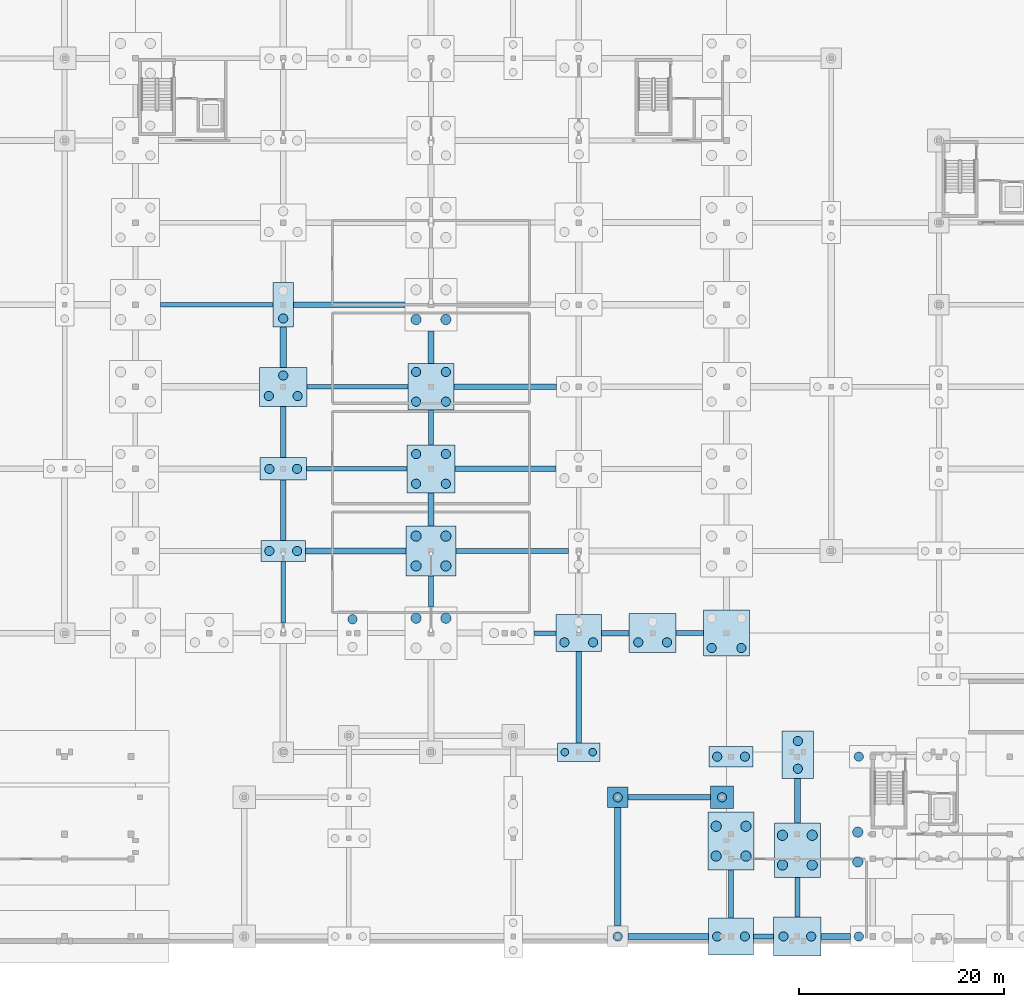
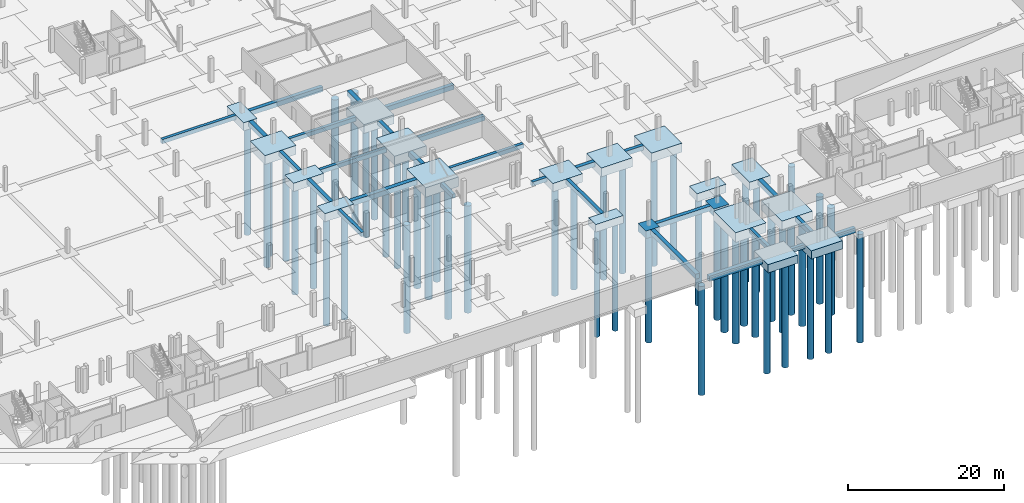
# One storey, part 3 of 38: 56 piles, 47 footings.
"""IFC4 building model written with IfcOpenShell, lengths in metres."""

from ifc_helpers import new_model, si_unit, direction, frame, origin, origin_2d, place, context, subcontext, project, spatial, rectangle, circle, extrude, material, material_profile, profile_set, type_object, element, save


model = new_model("IFC4")

# Units and contexts
model_context = context("Model", 3, precision=1e-05, world=origin(), true_north=direction((0.0, 1.0)))
body_context = subcontext(model_context, "Body", "Model", "MODEL_VIEW")
ifc_project = project(units=[si_unit("LENGTHUNIT", "METRE"), si_unit("AREAUNIT", "SQUARE_METRE"), si_unit("VOLUMEUNIT", "CUBIC_METRE"), si_unit("PLANEANGLEUNIT", "RADIAN"), si_unit("MASSUNIT", "GRAM", prefix="KILO")], contexts=[model_context])

# Site, building, storey
site_placement = place(None, origin())
site = spatial("IfcSite", under=ifc_project, at=site_placement, CompositionType="ELEMENT")
building_placement = place(site_placement, origin())
building = spatial("IfcBuilding", under=site, at=building_placement, Name="Zavelmont Quarter", CompositionType="ELEMENT")
storey_placement = place(building_placement, frame((0.0, 0.0, -3.800048828125)))
storey = spatial("IfcBuildingStorey", under=building, at=storey_placement, Name="B01", CompositionType="ELEMENT", Elevation=-3.800048828125)

# Footings
ifc_material = material(Name="Concrete C35/45", Category="concrete")
footing_type_1 = type_object("IfcFootingType", Name="GB01", PredefinedType="FOOTING_BEAM", material=ifc_material)
footing_1_placement = place(storey_placement, frame((109.22509765625, 30.0, -0.69970703125), z_axis=(0.0, 0.0, 1.0), x_axis=(1.0, 0.0, 0.0)))
element("IfcFooting", 1, at=footing_1_placement, inside=storey, type_object=footing_type_1, Name="B01 ground beam GB01 at 17/F", PredefinedType="FOOTING_BEAM", context=body_context, shape_type="SweptSolid", body=[
    extrude(rectangle(XDim=2.64990234375, YDim=0.5, at=origin_2d()), origin(), (0.0, 0.0, 1.0), 0.699951171875),
])
footing_2_placement = place(storey_placement, frame((69.60009765625, 49.60009765625, -0.69970703125), z_axis=(0.0, 0.0, 1.0), x_axis=(0.0, 1.0, 0.0)))
element("IfcFooting", 2, at=footing_2_placement, inside=storey, type_object=footing_type_1, Name="B01 ground beam GB01 at 11/H", PredefinedType="FOOTING_BEAM", context=body_context, shape_type="SweptSolid", body=[
    extrude(rectangle(XDim=5.0, YDim=0.5, at=origin_2d()), origin(), (0.0, 0.0, 1.0), 0.699951171875),
])
footing_3_placement = place(storey_placement, frame((84.0, 50.050048828125, -0.69970703125), z_axis=(0.0, 0.0, 1.0), x_axis=(0.0, 1.0, 0.0)))
element("IfcFooting", 3, at=footing_3_placement, inside=storey, type_object=footing_type_1, Name="B01 ground beam GB01 at 13/J", PredefinedType="FOOTING_BEAM", context=body_context, shape_type="SweptSolid", body=[
    extrude(rectangle(XDim=3.39990234375, YDim=0.5, at=origin_2d()), origin(), (0.0, 0.0, 1.0), 0.699951171875),
])
footing_4_placement = place(storey_placement, frame((98.39990234375, 23.75, -0.69970703125), z_axis=(0.0, 0.0, 1.0), x_axis=(0.0, 1.0, 0.0)))
element("IfcFooting", 4, at=footing_4_placement, inside=storey, type_object=footing_type_1, Name="B01 ground beam GB01 at 15/E", PredefinedType="FOOTING_BEAM", context=body_context, shape_type="SweptSolid", body=[
    extrude(rectangle(XDim=8.89990234375, YDim=0.5, at=origin_2d()), origin(), (0.0, 0.0, 1.0), 0.699951171875),
])
footing_5_placement = place(storey_placement, frame((119.699951171875, 4.27001953125, -0.69970703125), z_axis=(0.0, 0.0, 1.0), x_axis=(0.0, 1.0, 0.0)))
element("IfcFooting", 5, at=footing_5_placement, inside=storey, type_object=footing_type_1, Name="B01 ground beam GB01 at 18/B", PredefinedType="FOOTING_BEAM", context=body_context, shape_type="SweptSolid", body=[
    extrude(rectangle(XDim=3.860107421875, YDim=0.5, at=origin_2d()), origin(), (0.0, 0.0, 1.0), 0.699951171875),
])
footing_type_2 = type_object("IfcFootingType", Name="GB02", PredefinedType="FOOTING_BEAM", material=ifc_material)
footing_6_placement = place(storey_placement, frame((107.1201171875, 0.43994140625, -0.7998046875), z_axis=(0.0, 0.0, 1.0), x_axis=(1.0, 0.0, 0.0)))
element("IfcFooting", 6, at=footing_6_placement, inside=storey, type_object=footing_type_2, Name="B01 ground beam GB02 at 16/A", PredefinedType="FOOTING_BEAM", context=body_context, shape_type="SweptSolid", body=[
    extrude(rectangle(XDim=7.840087890625, YDim=0.60009765625, at=origin_2d()), origin(), (0.0, 0.0, 1.0), 0.800048828125),
])
footing_7_placement = place(storey_placement, frame((76.64990234375, 38.0, -0.7998046875), z_axis=(0.0, 0.0, 1.0), x_axis=(1.0, 0.0, 0.0)))
element("IfcFooting", 7, at=footing_7_placement, inside=storey, type_object=footing_type_2, Name="B01 ground beam GB02 at 12/G", PredefinedType="FOOTING_BEAM", context=body_context, shape_type="SweptSolid", body=[
    extrude(rectangle(XDim=9.800048828125, YDim=0.60009765625, at=origin_2d()), origin(), (0.0, 0.0, 1.0), 0.800048828125),
])
footing_8_placement = place(storey_placement, frame((69.60009765625, 57.875, -0.7998046875), z_axis=(0.0, 0.0, 1.0), x_axis=(0.0, 1.0, 0.0)))
element("IfcFooting", 8, at=footing_8_placement, inside=storey, type_object=footing_type_2, Name="B01 ground beam GB02 at 11/J", PredefinedType="FOOTING_BEAM", context=body_context, shape_type="SweptSolid", body=[
    extrude(rectangle(XDim=3.949951171875, YDim=0.60009765625, at=origin_2d()), origin(), (0.0, 0.0, 1.0), 0.800048828125),
])
footing_9_placement = place(storey_placement, frame((84.0, 57.85009765625, -0.7998046875), z_axis=(0.0, 0.0, 1.0), x_axis=(0.0, 1.0, 0.0)))
element("IfcFooting", 9, at=footing_9_placement, inside=storey, type_object=footing_type_2, Name="B01 ground beam GB02 at 13/J", PredefinedType="FOOTING_BEAM", context=body_context, shape_type="SweptSolid", body=[
    extrude(rectangle(XDim=3.199951171875, YDim=0.60009765625, at=origin_2d()), origin(), (0.0, 0.0, 1.0), 0.800048828125),
])
footing_10_placement = place(storey_placement, frame((102.199951171875, 7.219970703125, -0.7998046875), z_axis=(0.0, 0.0, 1.0), x_axis=(0.0, 1.0, 0.0)))
element("IfcFooting", 10, at=footing_10_placement, inside=storey, type_object=footing_type_2, Name="B01 ground beam GB02 at 16/B", PredefinedType="FOOTING_BEAM", context=body_context, shape_type="SweptSolid", body=[
    extrude(rectangle(XDim=11.56005859375, YDim=0.60009765625, at=origin_2d()), origin(), (0.0, 0.0, 1.0), 0.800048828125),
])
footing_11_placement = place(storey_placement, frame((119.72509765625, 13.655029296875, -0.7998046875), z_axis=(0.0, 0.0, 1.0), x_axis=(0.0, 1.0, 0.0)))
element("IfcFooting", 11, at=footing_11_placement, inside=storey, type_object=footing_type_2, Name="B01 ground beam GB02 at 18/C", PredefinedType="FOOTING_BEAM", context=body_context, shape_type="SweptSolid", body=[
    extrude(rectangle(XDim=4.31005859375, YDim=0.60009765625, at=origin_2d()), origin(), (0.0, 0.0, 1.0), 0.800048828125),
])
footing_type_3 = type_object("IfcFootingType", Name="GB03", PredefinedType="FOOTING_BEAM", material=ifc_material)
footing_12_placement = place(storey_placement, frame((116.419921875, 0.43994140625, -0.64990234375), z_axis=(0.0, 0.0, 1.0), x_axis=(1.0, 0.0, 0.0)))
element("IfcFooting", 12, at=footing_12_placement, inside=storey, type_object=footing_type_3, Name="B01 ground beam GB03 at 18/A", PredefinedType="FOOTING_BEAM", context=body_context, shape_type="SweptSolid", body=[
    extrude(rectangle(XDim=1.9599609375, YDim=0.449951171875, at=origin_2d()), origin(), (0.0, 0.0, 1.0), 0.64990234375),
])
footing_13_placement = place(storey_placement, frame((95.125, 30.0, -0.64990234375), z_axis=(0.0, 0.0, 1.0), x_axis=(1.0, 0.0, 0.0)))
element("IfcFooting", 13, at=footing_13_placement, inside=storey, type_object=footing_type_3, Name="B01 ground beam GB03 at 15/F", PredefinedType="FOOTING_BEAM", context=body_context, shape_type="SweptSolid", body=[
    extrude(rectangle(XDim=2.14990234375, YDim=0.449951171875, at=origin_2d()), origin(), (0.0, 0.0, 1.0), 0.64990234375),
])
footing_14_placement = place(storey_placement, frame((91.925048828125, 38.0, -0.64990234375), z_axis=(0.0, 0.0, 1.0), x_axis=(1.0, 0.0, 0.0)))
element("IfcFooting", 14, at=footing_14_placement, inside=storey, type_object=footing_type_3, Name="B01 ground beam GB03 at 14/G", PredefinedType="FOOTING_BEAM", context=body_context, shape_type="SweptSolid", body=[
    extrude(rectangle(XDim=10.949951171875, YDim=0.449951171875, at=origin_2d()), origin(), (0.0, 0.0, 1.0), 0.64990234375),
])
footing_15_placement = place(storey_placement, frame((76.75, 46.0, -0.64990234375), z_axis=(0.0, 0.0, 1.0), x_axis=(1.0, 0.0, 0.0)))
element("IfcFooting", 15, at=footing_15_placement, inside=storey, type_object=footing_type_3, Name="B01 ground beam GB03 at 12/H", PredefinedType="FOOTING_BEAM", context=body_context, shape_type="SweptSolid", body=[
    extrude(rectangle(XDim=9.800048828125, YDim=0.449951171875, at=origin_2d()), origin(), (0.0, 0.0, 1.0), 0.64990234375),
])
footing_16_placement = place(storey_placement, frame((76.824951171875, 54.0, -0.64990234375), z_axis=(0.0, 0.0, 1.0), x_axis=(1.0, 0.0, 0.0)))
element("IfcFooting", 16, at=footing_16_placement, inside=storey, type_object=footing_type_3, Name="B01 ground beam GB03 at 12/J", PredefinedType="FOOTING_BEAM", context=body_context, shape_type="SweptSolid", body=[
    extrude(rectangle(XDim=9.85009765625, YDim=0.449951171875, at=origin_2d()), origin(), (0.0, 0.0, 1.0), 0.64990234375),
])
footing_17_placement = place(storey_placement, frame((63.125, 62.0, -0.64990234375), z_axis=(0.0, 0.0, 1.0), x_axis=(1.0, 0.0, 0.0)))
element("IfcFooting", 17, at=footing_17_placement, inside=storey, type_object=footing_type_3, Name="B01 ground beam GB03 at 10/K", PredefinedType="FOOTING_BEAM", context=body_context, shape_type="SweptSolid", body=[
    extrude(rectangle(XDim=10.949951171875, YDim=0.449951171875, at=origin_2d()), origin(), (0.0, 0.0, 1.0), 0.64990234375),
])
footing_18_placement = place(storey_placement, frame((69.60009765625, 34.0, -0.64990234375), z_axis=(0.0, 0.0, 1.0), x_axis=(0.0, 1.0, 0.0)))
element("IfcFooting", 18, at=footing_18_placement, inside=storey, type_object=footing_type_3, Name="B01 ground beam GB03 at 11/F", PredefinedType="FOOTING_BEAM", context=body_context, shape_type="SweptSolid", body=[
    extrude(rectangle(XDim=6.0, YDim=0.449951171875, at=origin_2d()), origin(), (0.0, 0.0, 1.0), 0.64990234375),
])
footing_19_placement = place(storey_placement, frame((84.0, 34.050048828125, -0.64990234375), z_axis=(0.0, 0.0, 1.0), x_axis=(0.0, 1.0, 0.0)))
element("IfcFooting", 19, at=footing_19_placement, inside=storey, type_object=footing_type_3, Name="B01 ground beam GB03 at 13/G", PredefinedType="FOOTING_BEAM", context=body_context, shape_type="SweptSolid", body=[
    extrude(rectangle(XDim=3.0, YDim=0.449951171875, at=origin_2d()), origin(), (0.0, 0.0, 1.0), 0.64990234375),
])
footing_20_placement = place(storey_placement, frame((113.239990234375, 4.570068359375, -0.64990234375), z_axis=(0.0, 0.0, 1.0), x_axis=(0.0, 1.0, 0.0)))
element("IfcFooting", 20, at=footing_20_placement, inside=storey, type_object=footing_type_3, Name="B01 ground beam GB03 at 17/B", PredefinedType="FOOTING_BEAM", context=body_context, shape_type="SweptSolid", body=[
    extrude(rectangle(XDim=4.659912109375, YDim=0.449951171875, at=origin_2d()), origin(), (0.0, 0.0, 1.0), 0.64990234375),
])
footing_type_4 = type_object("IfcFootingType", Name="GB04", PredefinedType="FOOTING_BEAM", material=ifc_material)
footing_21_placement = place(storey_placement, frame((123.445068359375, 0.43994140625, -0.75), z_axis=(0.0, 0.0, 1.0), x_axis=(1.0, 0.0, 0.0)))
element("IfcFooting", 21, at=footing_21_placement, inside=storey, type_object=footing_type_4, Name="B01 ground beam GB04 at 19/A", PredefinedType="FOOTING_BEAM", context=body_context, shape_type="SweptSolid", body=[
    extrude(rectangle(XDim=2.889892578125, YDim=0.550048828125, at=origin_2d()), origin(), (0.0, 0.0, 1.0), 0.75),
])
footing_22_placement = place(storey_placement, frame((107.22998046875, 14.0, -0.75), z_axis=(0.0, 0.0, 1.0), x_axis=(1.0, 0.0, 0.0)))
element("IfcFooting", 22, at=footing_22_placement, inside=storey, type_object=footing_type_4, Name="B01 ground beam GB04 at 16/C", PredefinedType="FOOTING_BEAM", context=body_context, shape_type="SweptSolid", body=[
    extrude(rectangle(XDim=8.06005859375, YDim=0.550048828125, at=origin_2d()), origin(), (0.0, 0.0, 1.0), 0.75),
])
footing_23_placement = place(storey_placement, frame((101.949951171875, 30.0, -0.75), z_axis=(0.0, 0.0, 1.0), x_axis=(1.0, 0.0, 0.0)))
element("IfcFooting", 23, at=footing_23_placement, inside=storey, type_object=footing_type_4, Name="B01 ground beam GB04 at 15/F", PredefinedType="FOOTING_BEAM", context=body_context, shape_type="SweptSolid", body=[
    extrude(rectangle(XDim=2.699951171875, YDim=0.550048828125, at=origin_2d()), origin(), (0.0, 0.0, 1.0), 0.75),
])
footing_24_placement = place(storey_placement, frame((91.27490234375, 46.0, -0.75), z_axis=(0.0, 0.0, 1.0), x_axis=(1.0, 0.0, 0.0)))
element("IfcFooting", 24, at=footing_24_placement, inside=storey, type_object=footing_type_4, Name="B01 ground beam GB04 at 14/H", PredefinedType="FOOTING_BEAM", context=body_context, shape_type="SweptSolid", body=[
    extrude(rectangle(XDim=9.85009765625, YDim=0.550048828125, at=origin_2d()), origin(), (0.0, 0.0, 1.0), 0.75),
])
footing_25_placement = place(storey_placement, frame((91.25, 54.0, -0.75), z_axis=(0.0, 0.0, 1.0), x_axis=(1.0, 0.0, 0.0)))
element("IfcFooting", 25, at=footing_25_placement, inside=storey, type_object=footing_type_4, Name="B01 ground beam GB04 at 14/J", PredefinedType="FOOTING_BEAM", context=body_context, shape_type="SweptSolid", body=[
    extrude(rectangle(XDim=10.0, YDim=0.550048828125, at=origin_2d()), origin(), (0.0, 0.0, 1.0), 0.75),
])
footing_26_placement = place(storey_placement, frame((76.02490234375, 62.0, -0.75), z_axis=(0.0, 0.0, 1.0), x_axis=(1.0, 0.0, 0.0)))
element("IfcFooting", 26, at=footing_26_placement, inside=storey, type_object=footing_type_4, Name="B01 ground beam GB04 at 12/K", PredefinedType="FOOTING_BEAM", context=body_context, shape_type="SweptSolid", body=[
    extrude(rectangle(XDim=10.85009765625, YDim=0.550048828125, at=origin_2d()), origin(), (0.0, 0.0, 1.0), 0.75),
])
footing_27_placement = place(storey_placement, frame((69.60009765625, 41.949951171875, -0.75), z_axis=(0.0, 0.0, 1.0), x_axis=(0.0, 1.0, 0.0)))
element("IfcFooting", 27, at=footing_27_placement, inside=storey, type_object=footing_type_4, Name="B01 ground beam GB04 at 11/G", PredefinedType="FOOTING_BEAM", context=body_context, shape_type="SweptSolid", body=[
    extrude(rectangle(XDim=5.89990234375, YDim=0.550048828125, at=origin_2d()), origin(), (0.0, 0.0, 1.0), 0.75),
])
footing_28_placement = place(storey_placement, frame((84.0, 42.050048828125, -0.75), z_axis=(0.0, 0.0, 1.0), x_axis=(0.0, 1.0, 0.0)))
element("IfcFooting", 28, at=footing_28_placement, inside=storey, type_object=footing_type_4, Name="B01 ground beam GB04 at 13/H", PredefinedType="FOOTING_BEAM", context=body_context, shape_type="SweptSolid", body=[
    extrude(rectangle(XDim=3.199951171875, YDim=0.550048828125, at=origin_2d()), origin(), (0.0, 0.0, 1.0), 0.75),
])

# Piles
ifc_material_profile_1 = material_profile(ifc_material, circle(Radius=0.5, at=origin_2d()), Name="BP1000")
ifc_profile_set_1 = profile_set([ifc_material_profile_1], Name="Concrete C35/45")
pile_type_1 = type_object("IfcPileType", Name="P01", PredefinedType="BORED", material=ifc_profile_set_1)
for number, where, z_axis, x_axis, name in (
    (29, (118.25, 7.39990234375, -1.39990234375), (0.0, 0.0, -1.0), (1.0, 0.0, 0.0), "B01 bored pile P01 under CAP-016.1"),
    (30, (121.14990234375, 7.39990234375, -1.39990234375), (0.0, 0.0, -1.0), (1.0, 0.0, 0.0), "B01 bored pile P01 under CAP-016.2"),
    (31, (121.14990234375, 10.300048828125, -1.39990234375), (0.0, 0.0, -1.0), (1.0, 0.0, 0.0), "B01 bored pile P01 under CAP-016.3"),
    (32, (118.25, 10.300048828125, -1.39990234375), (0.0, 0.0, -1.0), (1.0, 0.0, 0.0), "B01 bored pile P01 under CAP-016.4"),
    (33, (125.590087890625, 7.699951171875, -1.39990234375), (0.0, 0.0, -1.0), (1.0, 0.0, 0.0), "B01 bored pile P01 under CAP-018.1"),
    (34, (125.590087890625, 10.60009765625, -1.39990234375), (0.0, 0.0, -1.0), (1.0, 0.0, 0.0), "B01 bored pile P01 under CAP-018.4"),
    (35, (111.7900390625, 8.27490234375, -1.39990234375), (0.0, 0.0, -1.0), (1.0, 0.0, 0.0), "B01 bored pile P01 under CAP-022.1"),
    (36, (114.68994140625, 8.27490234375, -1.39990234375), (0.0, 0.0, -1.0), (1.0, 0.0, 0.0), "B01 bored pile P01 under CAP-022.2"),
    (37, (114.68994140625, 11.175048828125, -1.39990234375), (0.0, 0.0, -1.0), (1.0, 0.0, 0.0), "B01 bored pile P01 under CAP-022.3"),
    (38, (111.7900390625, 11.175048828125, -1.39990234375), (0.0, 0.0, -1.0), (1.0, 0.0, 0.0), "B01 bored pile P01 under CAP-022.4"),
    (39, (85.449951171875, 31.449951171875, -1.39990234375), (0.0, 0.0, -1.0), (1.0, 0.0, 0.0), "B01 bored pile P01 under CAP-059.3"),
    (40, (82.550048828125, 31.449951171875, -1.39990234375), (0.0, 0.0, -1.0), (1.0, 0.0, 0.0), "B01 bored pile P01 under CAP-059.4"),
    (41, (82.550048828125, 36.550048828125, -1.39990234375), (0.0, 0.0, -1.0), (1.0, 0.0, 0.0), "B01 bored pile P01 under CAP-072.1"),
    (42, (85.449951171875, 36.550048828125, -1.39990234375), (0.0, 0.0, -1.0), (1.0, 0.0, 0.0), "B01 bored pile P01 under CAP-072.2"),
    (43, (85.449951171875, 39.449951171875, -1.39990234375), (0.0, 0.0, -1.0), (1.0, 0.0, 0.0), "B01 bored pile P01 under CAP-072.3"),
    (44, (82.550048828125, 39.449951171875, -1.39990234375), (0.0, 0.0, -1.0), (1.0, 0.0, 0.0), "B01 bored pile P01 under CAP-072.4"),
    (45, (82.550048828125, 60.550048828125, -1.39990234375), (0.0, 0.0, -1.0), (1.0, 0.0, 0.0), "B01 bored pile P01 under CAP-114.1"),
    (46, (85.449951171875, 60.550048828125, -1.39990234375), (0.0, 0.0, -1.0), (1.0, 0.0, 0.0), "B01 bored pile P01 under CAP-114.2"),
):
    element("IfcPile", number, at=place(storey_placement, frame(where, z_axis=z_axis, x_axis=x_axis)), inside=storey, type_object=pile_type_1, Name=name, PredefinedType="BORED", context=body_context, shape_type="SweptSolid", body=[
        extrude(circle(Radius=0.5, at=origin_2d()), origin(), (0.0, 0.0, 1.0), 16.800048828125),
    ])
ifc_material_profile_2 = material_profile(ifc_material, circle(Radius=0.449951171875, at=origin_2d()), Name="BP900")
ifc_profile_set_2 = profile_set([ifc_material_profile_2], Name="Concrete C35/45")
pile_type_2 = type_object("IfcPileType", Name="P02", PredefinedType="BORED", material=ifc_profile_set_2)
for number, where, z_axis, x_axis, name in (
    (47, (104.199951171875, 29.10009765625, -1.300048828125), (0.0, 0.0, -1.0), (1.0, 0.0, 0.0), "B01 bored pile P02 under CAP-062.1"),
    (48, (107.0, 29.10009765625, -1.300048828125), (0.0, 0.0, -1.0), (1.0, 0.0, 0.0), "B01 bored pile P02 under CAP-062.2"),
    (49, (111.35009765625, 28.550048828125, -1.300048828125), (0.0, 0.0, -1.0), (1.0, 0.0, 0.0), "B01 bored pile P02 under CAP-063.1"),
    (50, (114.25, 28.550048828125, -1.300048828125), (0.0, 0.0, -1.0), (1.0, 0.0, 0.0), "B01 bored pile P02 under CAP-063.2"),
    (51, (82.550048828125, 44.550048828125, -1.300048828125), (0.0, 0.0, -1.0), (1.0, 0.0, 0.0), "B01 bored pile P02 under CAP-087.1"),
    (52, (85.449951171875, 44.550048828125, -1.300048828125), (0.0, 0.0, -1.0), (1.0, 0.0, 0.0), "B01 bored pile P02 under CAP-087.2"),
    (53, (85.449951171875, 47.449951171875, -1.300048828125), (0.0, 0.0, -1.0), (1.0, 0.0, 0.0), "B01 bored pile P02 under CAP-087.3"),
    (54, (82.550048828125, 47.449951171875, -1.300048828125), (0.0, 0.0, -1.0), (1.0, 0.0, 0.0), "B01 bored pile P02 under CAP-087.4"),
    (55, (68.199951171875, 53.10009765625, -1.300048828125), (0.0, 0.0, -1.0), (1.0, 0.0, 0.0), "B01 bored pile P02 under CAP-098.1"),
    (56, (71.0, 53.10009765625, -1.300048828125), (0.0, 0.0, -1.0), (1.0, 0.0, 0.0), "B01 bored pile P02 under CAP-098.2"),
    (57, (69.60009765625, 55.10009765625, -1.300048828125), (0.0, 0.0, -1.0), (1.0, 0.0, 0.0), "B01 bored pile P02 under CAP-098.3"),
    (58, (82.550048828125, 52.550048828125, -1.300048828125), (0.0, 0.0, -1.0), (1.0, 0.0, 0.0), "B01 bored pile P02 under CAP-099.1"),
    (59, (85.449951171875, 52.550048828125, -1.300048828125), (0.0, 0.0, -1.0), (1.0, 0.0, 0.0), "B01 bored pile P02 under CAP-099.2"),
    (60, (85.449951171875, 55.449951171875, -1.300048828125), (0.0, 0.0, -1.0), (1.0, 0.0, 0.0), "B01 bored pile P02 under CAP-099.3"),
    (61, (82.550048828125, 55.449951171875, -1.300048828125), (0.0, 0.0, -1.0), (1.0, 0.0, 0.0), "B01 bored pile P02 under CAP-099.4"),
):
    element("IfcPile", number, at=place(storey_placement, frame(where, z_axis=z_axis, x_axis=x_axis)), inside=storey, type_object=pile_type_2, Name=name, PredefinedType="BORED", context=body_context, shape_type="SweptSolid", body=[
        extrude(circle(Radius=0.449951171875, at=origin_2d()), origin(), (0.0, 0.0, 1.0), 16.89990234375),
    ])
ifc_material_profile_3 = material_profile(ifc_material, circle(Radius=0.449951171875, at=origin_2d()), Name="BP900")
ifc_profile_set_3 = profile_set([ifc_material_profile_3], Name="Concrete C35/45")
pile_type_3 = type_object("IfcPileType", Name="P03", PredefinedType="BORED", material=ifc_profile_set_3)
for number, where, z_axis, x_axis, name in (
    (62, (111.889892578125, 0.43994140625, -1.199951171875), (0.0, 0.0, -1.0), (1.0, 0.0, 0.0), "B01 bored pile P03 under CAP-008.1"),
    (63, (114.590087890625, 0.43994140625, -1.199951171875), (0.0, 0.0, -1.0), (1.0, 0.0, 0.0), "B01 bored pile P03 under CAP-008.2"),
    (64, (118.35009765625, 0.43994140625, -1.199951171875), (0.0, 0.0, -1.0), (1.0, 0.0, 0.0), "B01 bored pile P03 under CAP-009.1"),
    (65, (121.050048828125, 0.43994140625, -1.199951171875), (0.0, 0.0, -1.0), (1.0, 0.0, 0.0), "B01 bored pile P03 under CAP-009.2"),
    (66, (125.68994140625, 0.43994140625, -1.199951171875), (0.0, 0.0, -1.0), (1.0, 0.0, 0.0), "B01 bored pile P03 under CAP-010.1"),
    (67, (111.889892578125, 17.9599609375, -1.199951171875), (0.0, 0.0, -1.0), (1.0, 0.0, 0.0), "B01 bored pile P03 under CAP-032.1"),
    (68, (114.590087890625, 17.9599609375, -1.199951171875), (0.0, 0.0, -1.0), (1.0, 0.0, 0.0), "B01 bored pile P03 under CAP-032.2"),
    (69, (125.68994140625, 17.9599609375, -1.199951171875), (0.0, 0.0, -1.0), (1.0, 0.0, 0.0), "B01 bored pile P03 under CAP-033.1"),
    (70, (119.75, 16.780029296875, -1.199951171875), (0.0, 0.0, -1.0), (1.0, 0.0, 0.0), "B01 bored pile P03 under CAP-036.1"),
    (71, (119.75, 19.47998046875, -1.199951171875), (0.0, 0.0, -1.0), (1.0, 0.0, 0.0), "B01 bored pile P03 under CAP-036.2"),
    (72, (76.35009765625, 31.35009765625, -1.199951171875), (0.0, 0.0, -1.0), (1.0, 0.0, 0.0), "B01 bored pile P03 under CAP-058.2"),
    (73, (97.0, 29.10009765625, -1.199951171875), (0.0, 0.0, -1.0), (1.0, 0.0, 0.0), "B01 bored pile P03 under CAP-061.1"),
    (74, (99.800048828125, 29.10009765625, -1.199951171875), (0.0, 0.0, -1.0), (1.0, 0.0, 0.0), "B01 bored pile P03 under CAP-061.2"),
    (75, (68.25, 38.0, -1.199951171875), (0.0, 0.0, -1.0), (1.0, 0.0, 0.0), "B01 bored pile P03 under CAP-071.1"),
    (76, (70.949951171875, 38.0, -1.199951171875), (0.0, 0.0, -1.0), (1.0, 0.0, 0.0), "B01 bored pile P03 under CAP-071.2"),
    (77, (68.25, 46.0, -1.199951171875), (0.0, 0.0, -1.0), (1.0, 0.0, 0.0), "B01 bored pile P03 under CAP-086.1"),
    (78, (70.949951171875, 46.0, -1.199951171875), (0.0, 0.0, -1.0), (1.0, 0.0, 0.0), "B01 bored pile P03 under CAP-086.2"),
    (79, (69.60009765625, 60.64990234375, -1.199951171875), (0.0, 0.0, -1.0), (1.0, 0.0, 0.0), "B01 bored pile P03 under CAP-113.1"),
):
    element("IfcPile", number, at=place(storey_placement, frame(where, z_axis=z_axis, x_axis=x_axis)), inside=storey, type_object=pile_type_3, Name=name, PredefinedType="BORED", context=body_context, shape_type="SweptSolid", body=[
        extrude(circle(Radius=0.449951171875, at=origin_2d()), origin(), (0.0, 0.0, 1.0), 17.0),
    ])
ifc_material_profile_4 = material_profile(ifc_material, circle(Radius=0.449951171875, at=origin_2d()), Name="BP900")
ifc_profile_set_4 = profile_set([ifc_material_profile_4], Name="Concrete C35/45")
pile_type_4 = type_object("IfcPileType", Name="P04", PredefinedType="BORED", material=ifc_profile_set_4)
for number, where, z_axis, x_axis, name in (
    (80, (102.199951171875, 0.43994140625, -1.099853515625), (0.0, 0.0, -1.0), (1.0, 0.0, 0.0), "B01 bored pile P04 under CAP-007.1"),
    (81, (102.199951171875, 14.0, -1.099853515625), (0.0, 0.0, -1.0), (1.0, 0.0, 0.0), "B01 bored pile P04 under CAP-029.1"),
    (82, (112.360107421875, 14.0, -1.099853515625), (0.0, 0.0, -1.0), (1.0, 0.0, 0.0), "B01 bored pile P04 under CAP-030.1"),
):
    element("IfcPile", number, at=place(storey_placement, frame(where, z_axis=z_axis, x_axis=x_axis)), inside=storey, type_object=pile_type_4, Name=name, PredefinedType="BORED", context=body_context, shape_type="SweptSolid", body=[
        extrude(circle(Radius=0.449951171875, at=origin_2d()), origin(), (0.0, 0.0, 1.0), 17.10009765625),
    ])
ifc_material_profile_5 = material_profile(ifc_material, circle(Radius=0.375, at=origin_2d()), Name="BP750")
ifc_profile_set_5 = profile_set([ifc_material_profile_5], Name="Concrete C35/45")
pile_type_5 = type_object("IfcPileType", Name="P05", PredefinedType="BORED", material=ifc_profile_set_5)
for number, where, z_axis, x_axis, name in (
    (83, (97.050048828125, 18.39990234375, -1.099853515625), (0.0, 0.0, -1.0), (1.0, 0.0, 0.0), "B01 bored pile P05 under CAP-040.1"),
    (84, (99.75, 18.39990234375, -1.099853515625), (0.0, 0.0, -1.0), (1.0, 0.0, 0.0), "B01 bored pile P05 under CAP-040.2"),
):
    element("IfcPile", number, at=place(storey_placement, frame(where, z_axis=z_axis, x_axis=x_axis)), inside=storey, type_object=pile_type_5, Name=name, PredefinedType="BORED", context=body_context, shape_type="SweptSolid", body=[
        extrude(circle(Radius=0.375, at=origin_2d()), origin(), (0.0, 0.0, 1.0), 17.10009765625),
    ])

# Footings
footing_type_5 = type_object("IfcFootingType", Name="PC03", PredefinedType="PILE_CAP", material=ifc_material)
footing_29_placement = place(storey_placement, frame((102.199951171875, 14.0, -1.19970703125), z_axis=(0.0, 0.0, 1.0), x_axis=(1.0, 0.0, 0.0)))
element("IfcFooting", 85, at=footing_29_placement, inside=storey, type_object=footing_type_5, Name="B01 pile cap PC03 at 16/C", PredefinedType="PILE_CAP", context=body_context, shape_type="SweptSolid", body=[
    extrude(rectangle(XDim=2.0, YDim=2.0, at=origin_2d()), origin(), (0.0, 0.0, 1.0), 1.199951171875),
])
footing_type_6 = type_object("IfcFootingType", Name="PC04", PredefinedType="PILE_CAP", material=ifc_material)
footing_30_placement = place(storey_placement, frame((112.360107421875, 14.0, -1.19970703125), z_axis=(0.0, 0.0, 1.0), x_axis=(1.0, 0.0, 0.0)))
element("IfcFooting", 86, at=footing_30_placement, inside=storey, type_object=footing_type_6, Name="B01 pile cap PC04 at 17/C", PredefinedType="PILE_CAP", context=body_context, shape_type="SweptSolid", body=[
    extrude(rectangle(XDim=2.199951171875, YDim=2.199951171875, at=origin_2d()), origin(), (0.0, 0.0, 1.0), 1.199951171875),
])
footing_type_7 = type_object("IfcFootingType", Name="PC05", PredefinedType="PILE_CAP", material=ifc_material)
footing_31_placement = place(storey_placement, frame((98.39990234375, 18.39990234375, -1.19970703125), z_axis=(0.0, 0.0, 1.0), x_axis=(1.0, 0.0, 0.0)))
element("IfcFooting", 87, at=footing_31_placement, inside=storey, type_object=footing_type_7, Name="B01 pile cap PC05 at 15/D", PredefinedType="PILE_CAP", context=body_context, shape_type="SweptSolid", body=[
    extrude(rectangle(XDim=4.10009765625, YDim=1.800048828125, at=origin_2d()), origin(), (0.0, 0.0, 1.0), 1.199951171875),
])
footing_type_8 = type_object("IfcFootingType", Name="PC07", PredefinedType="PILE_CAP", material=ifc_material)
for number, where, z_axis, x_axis, name in (
    (88, (113.239990234375, 17.9599609375, -1.2998046875), (0.0, 0.0, 1.0), (1.0, 0.0, 0.0), "B01 pile cap PC07 at 17/D"),
    (89, (69.60009765625, 38.0, -1.2998046875), (0.0, 0.0, 1.0), (1.0, 0.0, 0.0), "B01 pile cap PC07 at 11/G"),
):
    element("IfcFooting", number, at=place(storey_placement, frame(where, z_axis=z_axis, x_axis=x_axis)), inside=storey, type_object=footing_type_8, Name=name, PredefinedType="PILE_CAP", context=body_context, shape_type="SweptSolid", body=[
        extrude(rectangle(XDim=4.300048828125, YDim=2.0, at=origin_2d()), origin(), (0.0, 0.0, 1.0), 1.300048828125),
    ])
footing_type_9 = type_object("IfcFootingType", Name="PC08", PredefinedType="PILE_CAP", material=ifc_material)
footing_32_placement = place(storey_placement, frame((69.60009765625, 62.0, -1.2998046875), z_axis=(0.0, 0.0, 1.0), x_axis=(1.0, 0.0, 0.0)))
element("IfcFooting", 90, at=footing_32_placement, inside=storey, type_object=footing_type_9, Name="B01 pile cap PC08 at 11/K", PredefinedType="PILE_CAP", context=body_context, shape_type="SweptSolid", body=[
    extrude(rectangle(XDim=2.0, YDim=4.300048828125, at=origin_2d()), origin(), (0.0, 0.0, 1.0), 1.300048828125),
])
footing_type_10 = type_object("IfcFootingType", Name="PC09", PredefinedType="PILE_CAP", material=ifc_material)
footing_33_placement = place(storey_placement, frame((69.60009765625, 46.0, -1.2998046875), z_axis=(0.0, 0.0, 1.0), x_axis=(1.0, 0.0, 0.0)))
element("IfcFooting", 91, at=footing_33_placement, inside=storey, type_object=footing_type_10, Name="B01 pile cap PC09 at 11/H", PredefinedType="PILE_CAP", context=body_context, shape_type="SweptSolid", body=[
    extrude(rectangle(XDim=4.5, YDim=2.199951171875, at=origin_2d()), origin(), (0.0, 0.0, 1.0), 1.300048828125),
])
footing_type_11 = type_object("IfcFootingType", Name="PC10", PredefinedType="PILE_CAP", material=ifc_material)
footing_34_placement = place(storey_placement, frame((98.39990234375, 30.0, -1.2998046875), z_axis=(0.0, 0.0, 1.0), x_axis=(1.0, 0.0, 0.0)))
element("IfcFooting", 92, at=footing_34_placement, inside=storey, type_object=footing_type_11, Name="B01 pile cap PC10 at 15/F", PredefinedType="PILE_CAP", context=body_context, shape_type="SweptSolid", body=[
    extrude(rectangle(XDim=4.39990234375, YDim=3.60009765625, at=origin_2d()), origin(), (0.0, 0.0, 1.0), 1.300048828125),
])
footing_type_12 = type_object("IfcFootingType", Name="PC11", PredefinedType="PILE_CAP", material=ifc_material)
for number, where, z_axis, x_axis, name in (
    (93, (105.60009765625, 30.0, -1.39990234375), (0.0, 0.0, 1.0), (1.0, 0.0, 0.0), "B01 pile cap PC11 at 16/F"),
    (94, (69.60009765625, 54.0, -1.39990234375), (0.0, 0.0, 1.0), (1.0, 0.0, 0.0), "B01 pile cap PC11 at 11/J"),
):
    element("IfcFooting", number, at=place(storey_placement, frame(where, z_axis=z_axis, x_axis=x_axis)), inside=storey, type_object=footing_type_12, Name=name, PredefinedType="PILE_CAP", context=body_context, shape_type="SweptSolid", body=[
        extrude(rectangle(XDim=4.60009765625, YDim=3.800048828125, at=origin_2d()), origin(), (0.0, 0.0, 1.0), 1.39990234375),
    ])
footing_type_13 = type_object("IfcFootingType", Name="PC12", PredefinedType="PILE_CAP", material=ifc_material)
for number, where, z_axis, x_axis, name in (
    (95, (112.800048828125, 30.0, -1.39990234375), (0.0, 0.0, 1.0), (1.0, 0.0, 0.0), "B01 pile cap PC12 at 17/F"),
    (96, (84.0, 54.0, -1.39990234375), (0.0, 0.0, 1.0), (1.0, 0.0, 0.0), "B01 pile cap PC12 at 13/J"),
):
    element("IfcFooting", number, at=place(storey_placement, frame(where, z_axis=z_axis, x_axis=x_axis)), inside=storey, type_object=footing_type_13, Name=name, PredefinedType="PILE_CAP", context=body_context, shape_type="SweptSolid", body=[
        extrude(rectangle(XDim=4.5, YDim=4.5, at=origin_2d()), origin(), (0.0, 0.0, 1.0), 1.39990234375),
    ])
footing_type_14 = type_object("IfcFootingType", Name="PC13", PredefinedType="PILE_CAP", material=ifc_material)
footing_35_placement = place(storey_placement, frame((84.0, 46.0, -1.39990234375), z_axis=(0.0, 0.0, 1.0), x_axis=(1.0, 0.0, 0.0)))
element("IfcFooting", 97, at=footing_35_placement, inside=storey, type_object=footing_type_14, Name="B01 pile cap PC13 at 13/H", PredefinedType="PILE_CAP", context=body_context, shape_type="SweptSolid", body=[
    extrude(rectangle(XDim=4.699951171875, YDim=4.699951171875, at=origin_2d()), origin(), (0.0, 0.0, 1.0), 1.39990234375),
])
footing_type_15 = type_object("IfcFootingType", Name="PC14", PredefinedType="PILE_CAP", material=ifc_material)
footing_36_placement = place(storey_placement, frame((84.0, 38.0, -1.5), z_axis=(0.0, 0.0, 1.0), x_axis=(1.0, 0.0, 0.0)))
element("IfcFooting", 98, at=footing_36_placement, inside=storey, type_object=footing_type_15, Name="B01 pile cap PC14 at 13/G", PredefinedType="PILE_CAP", context=body_context, shape_type="SweptSolid", body=[
    extrude(rectangle(XDim=4.89990234375, YDim=4.89990234375, at=origin_2d()), origin(), (0.0, 0.0, 1.0), 1.5),
])
footing_type_16 = type_object("IfcFootingType", Name="PCC306X464", PredefinedType="PILE_CAP", material=ifc_material)
footing_37_placement = place(storey_placement, frame((119.75, 18.1298828125, -1.2998046875), z_axis=(0.0, 0.0, 1.0), x_axis=(1.0, 0.0, 0.0)))
element("IfcFooting", 99, at=footing_37_placement, inside=storey, type_object=footing_type_16, Name="B01 pile cap PCC306X464 at 18/D", PredefinedType="PILE_CAP", context=body_context, shape_type="SweptSolid", body=[
    extrude(rectangle(XDim=3.06005859375, YDim=4.639892578125, at=origin_2d()), origin(), (0.0, 0.0, 1.0), 1.300048828125),
])
footing_type_17 = type_object("IfcFootingType", Name="PCC440X360", PredefinedType="PILE_CAP", material=ifc_material)
footing_38_placement = place(storey_placement, frame((113.239990234375, 0.43994140625, -1.2998046875), z_axis=(0.0, 0.0, 1.0), x_axis=(1.0, 0.0, 0.0)))
element("IfcFooting", 100, at=footing_38_placement, inside=storey, type_object=footing_type_17, Name="B01 pile cap PCC440X360 at 17/A", PredefinedType="PILE_CAP", context=body_context, shape_type="SweptSolid", body=[
    extrude(rectangle(XDim=4.39990234375, YDim=3.60009765625, at=origin_2d()), origin(), (0.0, 0.0, 1.0), 1.300048828125),
])
footing_type_18 = type_object("IfcFootingType", Name="PCC450X530", PredefinedType="PILE_CAP", material=ifc_material)
footing_39_placement = place(storey_placement, frame((119.699951171875, 8.85009765625, -1.5), z_axis=(0.0, 0.0, 1.0), x_axis=(1.0, 0.0, 0.0)))
element("IfcFooting", 101, at=footing_39_placement, inside=storey, type_object=footing_type_18, Name="B01 pile cap PCC450X530 at 18/B", PredefinedType="PILE_CAP", context=body_context, shape_type="SweptSolid", body=[
    extrude(rectangle(XDim=4.5, YDim=5.300048828125, at=origin_2d()), origin(), (0.0, 0.0, 1.0), 1.5),
])
footing_type_19 = type_object("IfcFootingType", Name="PCC450X565", PredefinedType="PILE_CAP", material=ifc_material)
footing_40_placement = place(storey_placement, frame((113.239990234375, 9.72509765625, -1.5), z_axis=(0.0, 0.0, 1.0), x_axis=(1.0, 0.0, 0.0)))
element("IfcFooting", 102, at=footing_40_placement, inside=storey, type_object=footing_type_19, Name="B01 pile cap PCC450X565 at 17/C", PredefinedType="PILE_CAP", context=body_context, shape_type="SweptSolid", body=[
    extrude(rectangle(XDim=4.5, YDim=5.64990234375, at=origin_2d()), origin(), (0.0, 0.0, 1.0), 1.5),
])
footing_type_20 = type_object("IfcFootingType", Name="PCC460X380", PredefinedType="PILE_CAP", material=ifc_material)
footing_41_placement = place(storey_placement, frame((119.699951171875, 0.43994140625, -1.2998046875), z_axis=(0.0, 0.0, 1.0), x_axis=(1.0, 0.0, 0.0)))
element("IfcFooting", 103, at=footing_41_placement, inside=storey, type_object=footing_type_20, Name="B01 pile cap PCC460X380 at 18/A", PredefinedType="PILE_CAP", context=body_context, shape_type="SweptSolid", body=[
    extrude(rectangle(XDim=4.60009765625, YDim=3.800048828125, at=origin_2d()), origin(), (0.0, 0.0, 1.0), 1.300048828125),
])

save(model, "model.ifc")
